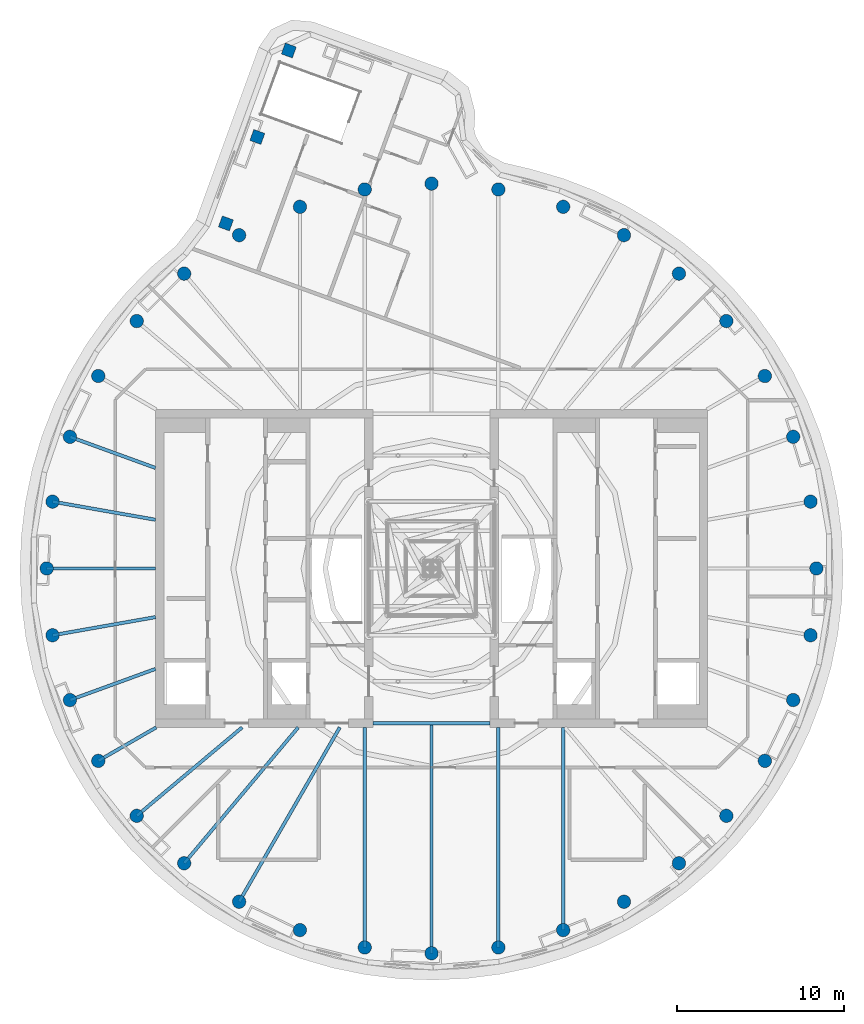
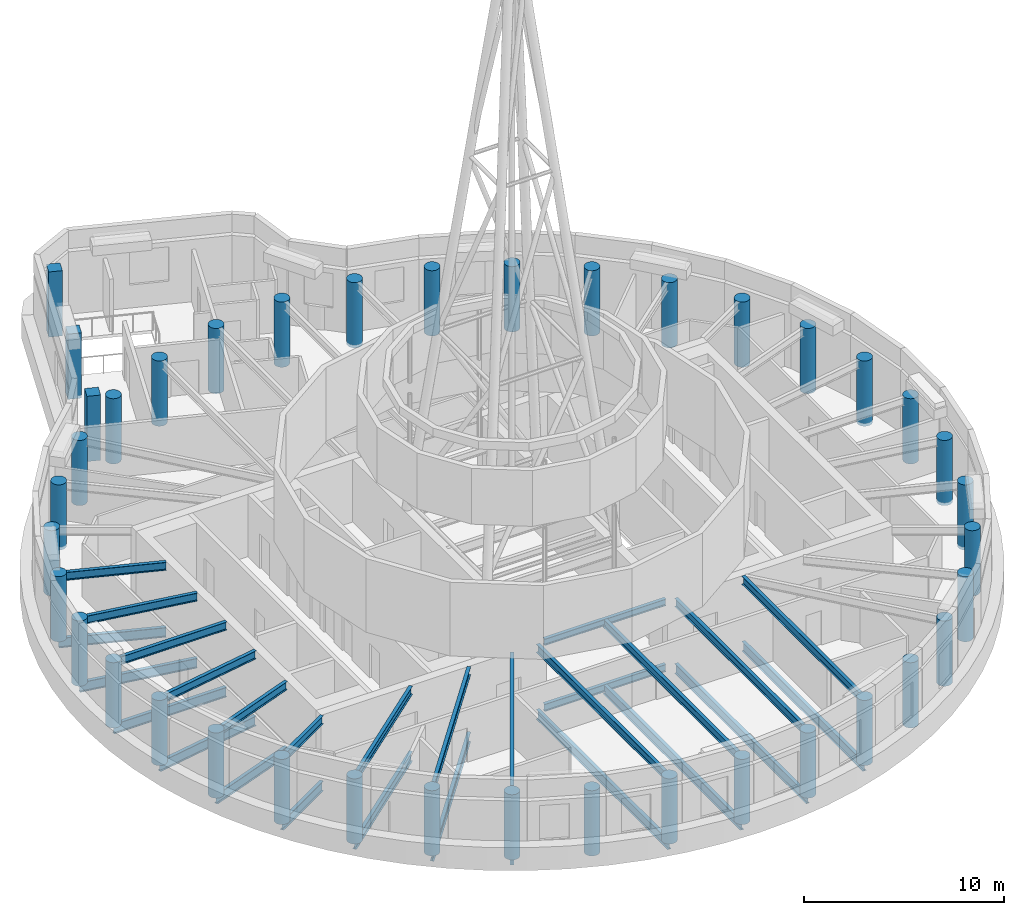
# One storey, part 1 of 17: 39 columns, 28 beams.
"""IFC4 building model written with IfcOpenShell, lengths in metres."""

from ifc_helpers import new_model, si_unit, direction, frame, origin, origin_2d, place, context, subcontext, project, spatial, rectangle, circle, i_section, extrude, material, material_profile, profile_set, type_object, element, save


model = new_model("IFC4")

# Units and contexts
model_context = context("Model", 3, precision=1e-05, world=origin(), true_north=direction((0.0, 1.0)))
body_context = subcontext(model_context, "Body", "Model", "MODEL_VIEW")
ifc_project = project(units=[si_unit("LENGTHUNIT", "METRE"), si_unit("AREAUNIT", "SQUARE_METRE"), si_unit("VOLUMEUNIT", "CUBIC_METRE"), si_unit("PLANEANGLEUNIT", "RADIAN"), si_unit("MASSUNIT", "GRAM", prefix="KILO")], contexts=[model_context])

# Site, building, storey
site_placement = place(None, origin())
site = spatial("IfcSite", under=ifc_project, at=site_placement, CompositionType="ELEMENT")
building_placement = place(site_placement, origin())
building = spatial("IfcBuilding", under=site, at=building_placement, Name="Tamarind Cross Interchange Tower", CompositionType="ELEMENT")
storey_placement = place(building_placement, frame((0.0, 0.0, 325.39990234375)))
storey = spatial("IfcBuildingStorey", under=building, at=storey_placement, Name="L80", CompositionType="ELEMENT", Elevation=325.39990234375)

# Columns
ifc_material_1 = material(Name="Concrete C45", Category="concrete")
ifc_material_profile_1 = material_profile(ifc_material_1, rectangle(XDim=0.699951171875, YDim=0.699951171875, at=origin_2d()), Name="RC 700x700")
ifc_profile_set_1 = profile_set([ifc_material_profile_1], Name="Concrete C45")
column_type_1 = type_object("IfcColumnType", Name="Column RC 700x700 Concrete C45", PredefinedType="COLUMN", material=ifc_profile_set_1)
for number, where, z_axis, x_axis, name in (
    (1, (-8.530029296875, 30.957275390625, -0.179931640625), (0.0, 0.0, 1.0), (0.341993902024, 0.939702171424, 0.0), "Column L80-047"),
    (2, (-10.4111328125, 25.7890625, -0.179931640625), (0.0, 0.0, 1.0), (0.341993902024, 0.939702171424, 0.0), "Column L80-048"),
    (3, (-12.2919921875, 20.62060546875, -0.179931640625), (0.0, 0.0, 1.0), (0.341993902024, 0.939702171424, 0.0), "Column L80-049"),
):
    element("IfcColumn", number, at=place(storey_placement, frame(where, z_axis=z_axis, x_axis=x_axis)), inside=storey, type_object=column_type_1, Name=name, PredefinedType="COLUMN", context=body_context, shape_type="SweptSolid", body=[
        extrude(rectangle(XDim=0.699951171875, YDim=0.699951171875, at=origin_2d()), origin(), (0.0, 0.0, 1.0), 3.97998046875),
    ])
ifc_material_profile_2 = material_profile(ifc_material_1, circle(Radius=0.39990234375, at=origin_2d()), Name="RC D800")
ifc_profile_set_2 = profile_set([ifc_material_profile_2], Name="Concrete C45")
column_type_2 = type_object("IfcColumnType", Name="Column RC D800 Concrete C45", PredefinedType="COLUMN", material=ifc_profile_set_2)
for number, where, z_axis, x_axis, name in (
    (4, (23.0, 0.0, -0.179931640625), (0.0, 0.0, 1.0), (1.0, 0.0, 0.0), "Column L80-000"),
    (5, (22.650634765625, 3.993896484375, -0.179931640625), (0.0, 0.0, 1.0), (1.0, 0.0, 0.0), "Column L80-001"),
    (6, (21.613037109375, 7.866455078125, -0.179931640625), (0.0, 0.0, 1.0), (1.0, 0.0, 0.0), "Column L80-002"),
    (7, (19.918701171875, 11.5, -0.179931640625), (0.0, 0.0, 1.0), (1.0, 0.0, 0.0), "Column L80-003"),
    (8, (17.619140625, 14.7841796875, -0.179931640625), (0.0, 0.0, 1.0), (1.0, 0.0, 0.0), "Column L80-004"),
    (9, (14.7841796875, 17.619140625, -0.179931640625), (0.0, 0.0, 1.0), (1.0, 0.0, 0.0), "Column L80-005"),
    (10, (11.5, 19.918701171875, -0.179931640625), (0.0, 0.0, 1.0), (1.0, 0.0, 0.0), "Column L80-006"),
    (11, (7.866455078125, 21.613037109375, -0.179931640625), (0.0, 0.0, 1.0), (1.0, 0.0, 0.0), "Column L80-007"),
    (12, (3.993896484375, 22.650634765625, -0.179931640625), (0.0, 0.0, 1.0), (1.0, 0.0, 0.0), "Column L80-008"),
    (13, (0.0, 23.0, -0.179931640625), (0.0, 0.0, 1.0), (1.0, 0.0, 0.0), "Column L80-009"),
    (14, (-3.993896484375, 22.650634765625, -0.179931640625), (0.0, 0.0, 1.0), (1.0, 0.0, 0.0), "Column L80-010"),
    (15, (-7.866455078125, 21.613037109375, -0.179931640625), (0.0, 0.0, 1.0), (1.0, 0.0, 0.0), "Column L80-011"),
    (16, (-11.5, 19.918701171875, -0.179931640625), (0.0, 0.0, 1.0), (1.0, 0.0, 0.0), "Column L80-012"),
    (17, (-14.7841796875, 17.619140625, -0.179931640625), (0.0, 0.0, 1.0), (1.0, 0.0, 0.0), "Column L80-013"),
    (18, (-17.619140625, 14.7841796875, -0.179931640625), (0.0, 0.0, 1.0), (1.0, 0.0, 0.0), "Column L80-014"),
    (19, (-19.918701171875, 11.5, -0.179931640625), (0.0, 0.0, 1.0), (1.0, 0.0, 0.0), "Column L80-015"),
    (20, (-21.613037109375, 7.866455078125, -0.179931640625), (0.0, 0.0, 1.0), (1.0, 0.0, 0.0), "Column L80-016"),
    (21, (-22.650634765625, 3.993896484375, -0.179931640625), (0.0, 0.0, 1.0), (1.0, 0.0, 0.0), "Column L80-017"),
    (22, (-23.0, 0.0, -0.179931640625), (0.0, 0.0, 1.0), (1.0, 0.0, 0.0), "Column L80-018"),
    (23, (-22.650634765625, -3.993896484375, -0.179931640625), (0.0, 0.0, 1.0), (1.0, 0.0, 0.0), "Column L80-019"),
    (24, (-21.613037109375, -7.866455078125, -0.179931640625), (0.0, 0.0, 1.0), (1.0, 0.0, 0.0), "Column L80-020"),
    (25, (-19.918701171875, -11.5, -0.179931640625), (0.0, 0.0, 1.0), (1.0, 0.0, 0.0), "Column L80-021"),
    (26, (-17.619140625, -14.7841796875, -0.179931640625), (0.0, 0.0, 1.0), (1.0, 0.0, 0.0), "Column L80-022"),
    (27, (-14.7841796875, -17.619140625, -0.179931640625), (0.0, 0.0, 1.0), (1.0, 0.0, 0.0), "Column L80-023"),
    (28, (-11.5, -19.918701171875, -0.179931640625), (0.0, 0.0, 1.0), (1.0, 0.0, 0.0), "Column L80-024"),
    (29, (-7.866455078125, -21.613037109375, -0.179931640625), (0.0, 0.0, 1.0), (1.0, 0.0, 0.0), "Column L80-025"),
    (30, (-3.993896484375, -22.650634765625, -0.179931640625), (0.0, 0.0, 1.0), (1.0, 0.0, 0.0), "Column L80-026"),
    (31, (0.0, -23.0, -0.179931640625), (0.0, 0.0, 1.0), (1.0, 0.0, 0.0), "Column L80-027"),
    (32, (3.993896484375, -22.650634765625, -0.179931640625), (0.0, 0.0, 1.0), (1.0, 0.0, 0.0), "Column L80-028"),
    (33, (7.866455078125, -21.613037109375, -0.179931640625), (0.0, 0.0, 1.0), (1.0, 0.0, 0.0), "Column L80-029"),
    (34, (11.5, -19.918701171875, -0.179931640625), (0.0, 0.0, 1.0), (1.0, 0.0, 0.0), "Column L80-030"),
    (35, (14.7841796875, -17.619140625, -0.179931640625), (0.0, 0.0, 1.0), (1.0, 0.0, 0.0), "Column L80-031"),
    (36, (17.619140625, -14.7841796875, -0.179931640625), (0.0, 0.0, 1.0), (1.0, 0.0, 0.0), "Column L80-032"),
    (37, (19.918701171875, -11.5, -0.179931640625), (0.0, 0.0, 1.0), (1.0, 0.0, 0.0), "Column L80-033"),
    (38, (21.613037109375, -7.866455078125, -0.179931640625), (0.0, 0.0, 1.0), (1.0, 0.0, 0.0), "Column L80-034"),
    (39, (22.650634765625, -3.993896484375, -0.179931640625), (0.0, 0.0, 1.0), (1.0, 0.0, 0.0), "Column L80-035"),
):
    element("IfcColumn", number, at=place(storey_placement, frame(where, z_axis=z_axis, x_axis=x_axis)), inside=storey, type_object=column_type_2, Name=name, PredefinedType="COLUMN", context=body_context, shape_type="SweptSolid", body=[
        extrude(circle(Radius=0.39990234375, at=origin_2d()), origin(), (0.0, 0.0, 1.0), 3.97998046875),
    ])

# Beams
ifc_material_2 = material(Name="Steel Q355B", Category="steel")
ifc_material_profile_3 = material_profile(ifc_material_2, i_section(OverallWidth=0.199951171875, OverallDepth=0.39990234375, WebThickness=0.008056640625, FlangeThickness=0.012939453125, FilletRadius=0.01611328125, at=origin_2d()), Name="HN 400x200x8x13")
ifc_profile_set_3 = profile_set([ifc_material_profile_3], Name="Steel Q355B")
beam_type_1 = type_object("IfcBeamType", Name="Composite beam HN 400x200x8x13 Q355B", PredefinedType="BEAM", material=ifc_profile_set_3)
beam_1_placement = place(storey_placement, frame((-3.5, -9.25, 3.60009765625), z_axis=(1.0, 0.0, 0.0), x_axis=(0.0, 1.0, 0.0)))
element("IfcBeam", 40, at=beam_1_placement, inside=storey, type_object=beam_type_1, Name="Beam G-9.25", PredefinedType="BEAM", context=body_context, shape_type="SweptSolid", body=[
    extrude(i_section(OverallWidth=0.199951171875, OverallDepth=0.39990234375, WebThickness=0.008056640625, FlangeThickness=0.012939453125, FilletRadius=0.01611328125, at=origin_2d()), origin(), (0.0, 0.0, 1.0), 7.0),
])
ifc_material_profile_4 = material_profile(ifc_material_2, i_section(OverallWidth=0.198974609375, OverallDepth=0.446044921875, WebThickness=0.008056640625, FlangeThickness=0.011962890625, FilletRadius=0.012939453125, at=origin_2d()), Name="HN 446x199x8x12")
ifc_profile_set_4 = profile_set([ifc_material_profile_4], Name="Steel Q355B")
beam_type_2 = type_object("IfcBeamType", Name="Composite beam HN 446x199x8x12 Q355B", PredefinedType="BEAM", material=ifc_profile_set_4)
beam_2_placement = place(storey_placement, frame((-3.5, -9.25, -0.40283203125), z_axis=(1.0, 0.0, 0.0), x_axis=(0.0, 1.0, 0.0)))
element("IfcBeam", 41, at=beam_2_placement, inside=storey, type_object=beam_type_2, Name="Beam G-9.25", PredefinedType="BEAM", context=body_context, shape_type="SweptSolid", body=[
    extrude(i_section(OverallWidth=0.198974609375, OverallDepth=0.446044921875, WebThickness=0.008056640625, FlangeThickness=0.011962890625, FilletRadius=0.012939453125, at=origin_2d()), origin(), (0.0, 0.0, 1.0), 7.0),
])
ifc_material_profile_5 = material_profile(ifc_material_2, i_section(OverallWidth=0.198974609375, OverallDepth=0.49609375, WebThickness=0.009033203125, FlangeThickness=0.013916015625, FilletRadius=0.012939453125, at=origin_2d()), Name="HN 496x199x9x14")
ifc_profile_set_5 = profile_set([ifc_material_profile_5], Name="Steel Q355B")
beam_type_3 = type_object("IfcBeamType", Name="Composite beam HN 496x199x9x14 Q355B", PredefinedType="BEAM", material=ifc_profile_set_5)
beam_3_placement = place(storey_placement, frame((-21.613037109375, 7.866455078125, 3.552001953125), z_axis=(0.939701685589, -0.341995236956, 0.0), x_axis=(0.341995236956, 0.939701685589, 0.0)))
element("IfcBeam", 42, at=beam_3_placement, inside=storey, type_object=beam_type_3, Name="Beam HH16", PredefinedType="BEAM", context=body_context, shape_type="SweptSolid", body=[
    extrude(i_section(OverallWidth=0.198974609375, OverallDepth=0.49609375, WebThickness=0.009033203125, FlangeThickness=0.013916015625, FilletRadius=0.012939453125, at=origin_2d()), origin(), (0.0, 0.0, 1.0), 5.441162109375),
])
beam_4_placement = place(storey_placement, frame((-22.650634765625, 3.993896484375, 3.552001953125), z_axis=(0.984809127561, -0.173640382036, 0.0), x_axis=(0.173640382036, 0.984809127561, 0.0)))
element("IfcBeam", 43, at=beam_4_placement, inside=storey, type_object=beam_type_3, Name="Beam HH17", PredefinedType="BEAM", context=body_context, shape_type="SweptSolid", body=[
    extrude(i_section(OverallWidth=0.198974609375, OverallDepth=0.49609375, WebThickness=0.009033203125, FlangeThickness=0.013916015625, FilletRadius=0.012939453125, at=origin_2d()), origin(), (0.0, 0.0, 1.0), 6.24560546875),
])
beam_5_placement = place(storey_placement, frame((-23.0, 0.0, 3.552001953125), z_axis=(1.0, 0.0, 0.0), x_axis=(0.0, 1.0, 0.0)))
element("IfcBeam", 44, at=beam_5_placement, inside=storey, type_object=beam_type_3, Name="Beam HH18", PredefinedType="BEAM", context=body_context, shape_type="SweptSolid", body=[
    extrude(i_section(OverallWidth=0.198974609375, OverallDepth=0.49609375, WebThickness=0.009033203125, FlangeThickness=0.013916015625, FilletRadius=0.012939453125, at=origin_2d()), origin(), (0.0, 0.0, 1.0), 6.5),
])
beam_6_placement = place(storey_placement, frame((-22.650634765625, -3.993896484375, 3.552001953125), z_axis=(0.984809127561, 0.173640382036, 0.0), x_axis=(-0.173640382036, 0.984809127561, 0.0)))
element("IfcBeam", 45, at=beam_6_placement, inside=storey, type_object=beam_type_3, Name="Beam HH19", PredefinedType="BEAM", context=body_context, shape_type="SweptSolid", body=[
    extrude(i_section(OverallWidth=0.198974609375, OverallDepth=0.49609375, WebThickness=0.009033203125, FlangeThickness=0.013916015625, FilletRadius=0.012939453125, at=origin_2d()), origin(), (0.0, 0.0, 1.0), 6.24560546875),
])
beam_7_placement = place(storey_placement, frame((-21.613037109375, -7.866455078125, 3.552001953125), z_axis=(0.939701685589, 0.341995236956, 0.0), x_axis=(-0.341995236956, 0.939701685589, 0.0)))
element("IfcBeam", 46, at=beam_7_placement, inside=storey, type_object=beam_type_3, Name="Beam HH20", PredefinedType="BEAM", context=body_context, shape_type="SweptSolid", body=[
    extrude(i_section(OverallWidth=0.198974609375, OverallDepth=0.49609375, WebThickness=0.009033203125, FlangeThickness=0.013916015625, FilletRadius=0.012939453125, at=origin_2d()), origin(), (0.0, 0.0, 1.0), 5.441162109375),
])
beam_8_placement = place(storey_placement, frame((-19.918701171875, -11.5, 3.552001953125), z_axis=(0.866026010844, 0.49999894854, 0.0), x_axis=(-0.49999894854, 0.866026010844, 0.0)))
element("IfcBeam", 47, at=beam_8_placement, inside=storey, type_object=beam_type_3, Name="Beam HH21", PredefinedType="BEAM", context=body_context, shape_type="SweptSolid", body=[
    extrude(i_section(OverallWidth=0.198974609375, OverallDepth=0.49609375, WebThickness=0.009033203125, FlangeThickness=0.013916015625, FilletRadius=0.012939453125, at=origin_2d()), origin(), (0.0, 0.0, 1.0), 4.0),
])
beam_9_placement = place(storey_placement, frame((-17.619140625, -14.7841796875, 3.552001953125), z_axis=(0.766040580814, 0.642792212574, 0.0), x_axis=(-0.642792212574, 0.766040580814, 0.0)))
element("IfcBeam", 48, at=beam_9_placement, inside=storey, type_object=beam_type_3, Name="Beam HH22", PredefinedType="BEAM", context=body_context, shape_type="SweptSolid", body=[
    extrude(i_section(OverallWidth=0.198974609375, OverallDepth=0.49609375, WebThickness=0.009033203125, FlangeThickness=0.013916015625, FilletRadius=0.012939453125, at=origin_2d()), origin(), (0.0, 0.0, 1.0), 8.220703125),
])
beam_10_placement = place(storey_placement, frame((-14.7841796875, -17.619140625, 3.552001953125), z_axis=(0.642786293979, 0.766045547127, 0.0), x_axis=(-0.766045547127, 0.642786293979, 0.0)))
element("IfcBeam", 49, at=beam_10_placement, inside=storey, type_object=beam_type_3, Name="Beam HH23", PredefinedType="BEAM", context=body_context, shape_type="SweptSolid", body=[
    extrude(i_section(OverallWidth=0.198974609375, OverallDepth=0.49609375, WebThickness=0.009033203125, FlangeThickness=0.013916015625, FilletRadius=0.012939453125, at=origin_2d()), origin(), (0.0, 0.0, 1.0), 10.598876953125),
])
beam_11_placement = place(storey_placement, frame((-11.5, -19.918701171875, 3.552001953125), z_axis=(0.499993565836, 0.866029118519, 0.0), x_axis=(-0.866029118519, 0.499993565836, 0.0)))
element("IfcBeam", 50, at=beam_11_placement, inside=storey, type_object=beam_type_3, Name="Beam HH24", PredefinedType="BEAM", context=body_context, shape_type="SweptSolid", body=[
    extrude(i_section(OverallWidth=0.198974609375, OverallDepth=0.49609375, WebThickness=0.009033203125, FlangeThickness=0.013916015625, FilletRadius=0.012939453125, at=origin_2d()), origin(), (0.0, 0.0, 1.0), 12.030517578125),
])
beam_12_placement = place(storey_placement, frame((-3.993896484375, -22.650634765625, 3.552001953125), z_axis=(0.0, 1.0, 0.0), x_axis=(-1.0, 0.0, 0.0)))
element("IfcBeam", 51, at=beam_12_placement, inside=storey, type_object=beam_type_3, Name="Beam HH26", PredefinedType="BEAM", context=body_context, shape_type="SweptSolid", body=[
    extrude(i_section(OverallWidth=0.198974609375, OverallDepth=0.49609375, WebThickness=0.009033203125, FlangeThickness=0.013916015625, FilletRadius=0.012939453125, at=origin_2d()), origin(), (0.0, 0.0, 1.0), 13.150634765625),
])
beam_13_placement = place(storey_placement, frame((0.0, -23.0, 3.552001953125), z_axis=(0.0, 1.0, 0.0), x_axis=(-1.0, 0.0, 0.0)))
element("IfcBeam", 52, at=beam_13_placement, inside=storey, type_object=beam_type_3, Name="Beam HH27", PredefinedType="BEAM", context=body_context, shape_type="SweptSolid", body=[
    extrude(i_section(OverallWidth=0.198974609375, OverallDepth=0.49609375, WebThickness=0.009033203125, FlangeThickness=0.013916015625, FilletRadius=0.012939453125, at=origin_2d()), origin(), (0.0, 0.0, 1.0), 13.75),
])
beam_14_placement = place(storey_placement, frame((3.993896484375, -22.650634765625, 3.552001953125), z_axis=(0.0, 1.0, 0.0), x_axis=(-1.0, 0.0, 0.0)))
element("IfcBeam", 53, at=beam_14_placement, inside=storey, type_object=beam_type_3, Name="Beam HH28", PredefinedType="BEAM", context=body_context, shape_type="SweptSolid", body=[
    extrude(i_section(OverallWidth=0.198974609375, OverallDepth=0.49609375, WebThickness=0.009033203125, FlangeThickness=0.013916015625, FilletRadius=0.012939453125, at=origin_2d()), origin(), (0.0, 0.0, 1.0), 13.150634765625),
])
beam_15_placement = place(storey_placement, frame((7.866455078125, -21.613037109375, 3.552001953125), z_axis=(0.0, 1.0, 0.0), x_axis=(-1.0, 0.0, 0.0)))
element("IfcBeam", 54, at=beam_15_placement, inside=storey, type_object=beam_type_3, Name="Beam HH29", PredefinedType="BEAM", context=body_context, shape_type="SweptSolid", body=[
    extrude(i_section(OverallWidth=0.198974609375, OverallDepth=0.49609375, WebThickness=0.009033203125, FlangeThickness=0.013916015625, FilletRadius=0.012939453125, at=origin_2d()), origin(), (0.0, 0.0, 1.0), 12.113037109375),
])
ifc_material_profile_6 = material_profile(ifc_material_2, i_section(OverallWidth=0.198974609375, OverallDepth=0.595947265625, WebThickness=0.010009765625, FlangeThickness=0.014892578125, FilletRadius=0.012939453125, at=origin_2d()), Name="HN 596x199x10x15")
ifc_profile_set_6 = profile_set([ifc_material_profile_6], Name="Steel Q355B")
beam_type_4 = type_object("IfcBeamType", Name="Composite beam HN 596x199x10x15 Q355B", PredefinedType="BEAM", material=ifc_profile_set_6)
beam_16_placement = place(storey_placement, frame((-21.613037109375, 7.866455078125, -0.477783203125), z_axis=(0.939701685589, -0.341995236956, 0.0), x_axis=(0.341995236956, 0.939701685589, 0.0)))
element("IfcBeam", 55, at=beam_16_placement, inside=storey, type_object=beam_type_4, Name="Beam HH16", PredefinedType="BEAM", context=body_context, shape_type="SweptSolid", body=[
    extrude(i_section(OverallWidth=0.198974609375, OverallDepth=0.595947265625, WebThickness=0.010009765625, FlangeThickness=0.014892578125, FilletRadius=0.012939453125, at=origin_2d()), origin(), (0.0, 0.0, 1.0), 5.441162109375),
])
beam_17_placement = place(storey_placement, frame((-22.650634765625, 3.993896484375, -0.477783203125), z_axis=(0.984809127561, -0.173640382036, 0.0), x_axis=(0.173640382036, 0.984809127561, 0.0)))
element("IfcBeam", 56, at=beam_17_placement, inside=storey, type_object=beam_type_4, Name="Beam HH17", PredefinedType="BEAM", context=body_context, shape_type="SweptSolid", body=[
    extrude(i_section(OverallWidth=0.198974609375, OverallDepth=0.595947265625, WebThickness=0.010009765625, FlangeThickness=0.014892578125, FilletRadius=0.012939453125, at=origin_2d()), origin(), (0.0, 0.0, 1.0), 6.24560546875),
])
beam_18_placement = place(storey_placement, frame((-23.0, 0.0, -0.477783203125), z_axis=(1.0, 0.0, 0.0), x_axis=(0.0, 1.0, 0.0)))
element("IfcBeam", 57, at=beam_18_placement, inside=storey, type_object=beam_type_4, Name="Beam HH18", PredefinedType="BEAM", context=body_context, shape_type="SweptSolid", body=[
    extrude(i_section(OverallWidth=0.198974609375, OverallDepth=0.595947265625, WebThickness=0.010009765625, FlangeThickness=0.014892578125, FilletRadius=0.012939453125, at=origin_2d()), origin(), (0.0, 0.0, 1.0), 6.5),
])
beam_19_placement = place(storey_placement, frame((-22.650634765625, -3.993896484375, -0.477783203125), z_axis=(0.984809127561, 0.173640382036, 0.0), x_axis=(-0.173640382036, 0.984809127561, 0.0)))
element("IfcBeam", 58, at=beam_19_placement, inside=storey, type_object=beam_type_4, Name="Beam HH19", PredefinedType="BEAM", context=body_context, shape_type="SweptSolid", body=[
    extrude(i_section(OverallWidth=0.198974609375, OverallDepth=0.595947265625, WebThickness=0.010009765625, FlangeThickness=0.014892578125, FilletRadius=0.012939453125, at=origin_2d()), origin(), (0.0, 0.0, 1.0), 6.24560546875),
])
beam_20_placement = place(storey_placement, frame((-21.613037109375, -7.866455078125, -0.477783203125), z_axis=(0.939701685589, 0.341995236956, 0.0), x_axis=(-0.341995236956, 0.939701685589, 0.0)))
element("IfcBeam", 59, at=beam_20_placement, inside=storey, type_object=beam_type_4, Name="Beam HH20", PredefinedType="BEAM", context=body_context, shape_type="SweptSolid", body=[
    extrude(i_section(OverallWidth=0.198974609375, OverallDepth=0.595947265625, WebThickness=0.010009765625, FlangeThickness=0.014892578125, FilletRadius=0.012939453125, at=origin_2d()), origin(), (0.0, 0.0, 1.0), 5.441162109375),
])
beam_21_placement = place(storey_placement, frame((-19.918701171875, -11.5, -0.477783203125), z_axis=(0.866026010844, 0.49999894854, 0.0), x_axis=(-0.49999894854, 0.866026010844, 0.0)))
element("IfcBeam", 60, at=beam_21_placement, inside=storey, type_object=beam_type_4, Name="Beam HH21", PredefinedType="BEAM", context=body_context, shape_type="SweptSolid", body=[
    extrude(i_section(OverallWidth=0.198974609375, OverallDepth=0.595947265625, WebThickness=0.010009765625, FlangeThickness=0.014892578125, FilletRadius=0.012939453125, at=origin_2d()), origin(), (0.0, 0.0, 1.0), 4.0),
])
beam_22_placement = place(storey_placement, frame((-17.619140625, -14.7841796875, -0.477783203125), z_axis=(0.766040580814, 0.642792212574, 0.0), x_axis=(-0.642792212574, 0.766040580814, 0.0)))
element("IfcBeam", 61, at=beam_22_placement, inside=storey, type_object=beam_type_4, Name="Beam HH22", PredefinedType="BEAM", context=body_context, shape_type="SweptSolid", body=[
    extrude(i_section(OverallWidth=0.198974609375, OverallDepth=0.595947265625, WebThickness=0.010009765625, FlangeThickness=0.014892578125, FilletRadius=0.012939453125, at=origin_2d()), origin(), (0.0, 0.0, 1.0), 8.220703125),
])
beam_23_placement = place(storey_placement, frame((-14.7841796875, -17.619140625, -0.477783203125), z_axis=(0.642786293979, 0.766045547127, 0.0), x_axis=(-0.766045547127, 0.642786293979, 0.0)))
element("IfcBeam", 62, at=beam_23_placement, inside=storey, type_object=beam_type_4, Name="Beam HH23", PredefinedType="BEAM", context=body_context, shape_type="SweptSolid", body=[
    extrude(i_section(OverallWidth=0.198974609375, OverallDepth=0.595947265625, WebThickness=0.010009765625, FlangeThickness=0.014892578125, FilletRadius=0.012939453125, at=origin_2d()), origin(), (0.0, 0.0, 1.0), 10.598876953125),
])
beam_24_placement = place(storey_placement, frame((-11.5, -19.918701171875, -0.477783203125), z_axis=(0.499993565836, 0.866029118519, 0.0), x_axis=(-0.866029118519, 0.499993565836, 0.0)))
element("IfcBeam", 63, at=beam_24_placement, inside=storey, type_object=beam_type_4, Name="Beam HH24", PredefinedType="BEAM", context=body_context, shape_type="SweptSolid", body=[
    extrude(i_section(OverallWidth=0.198974609375, OverallDepth=0.595947265625, WebThickness=0.010009765625, FlangeThickness=0.014892578125, FilletRadius=0.012939453125, at=origin_2d()), origin(), (0.0, 0.0, 1.0), 12.030517578125),
])
beam_25_placement = place(storey_placement, frame((-3.993896484375, -22.650634765625, -0.477783203125), z_axis=(0.0, 1.0, 0.0), x_axis=(-1.0, 0.0, 0.0)))
element("IfcBeam", 64, at=beam_25_placement, inside=storey, type_object=beam_type_4, Name="Beam HH26", PredefinedType="BEAM", context=body_context, shape_type="SweptSolid", body=[
    extrude(i_section(OverallWidth=0.198974609375, OverallDepth=0.595947265625, WebThickness=0.010009765625, FlangeThickness=0.014892578125, FilletRadius=0.012939453125, at=origin_2d()), origin(), (0.0, 0.0, 1.0), 13.150634765625),
])
beam_26_placement = place(storey_placement, frame((0.0, -23.0, -0.477783203125), z_axis=(0.0, 1.0, 0.0), x_axis=(-1.0, 0.0, 0.0)))
element("IfcBeam", 65, at=beam_26_placement, inside=storey, type_object=beam_type_4, Name="Beam HH27", PredefinedType="BEAM", context=body_context, shape_type="SweptSolid", body=[
    extrude(i_section(OverallWidth=0.198974609375, OverallDepth=0.595947265625, WebThickness=0.010009765625, FlangeThickness=0.014892578125, FilletRadius=0.012939453125, at=origin_2d()), origin(), (0.0, 0.0, 1.0), 13.75),
])
beam_27_placement = place(storey_placement, frame((3.993896484375, -22.650634765625, -0.477783203125), z_axis=(0.0, 1.0, 0.0), x_axis=(-1.0, 0.0, 0.0)))
element("IfcBeam", 66, at=beam_27_placement, inside=storey, type_object=beam_type_4, Name="Beam HH28", PredefinedType="BEAM", context=body_context, shape_type="SweptSolid", body=[
    extrude(i_section(OverallWidth=0.198974609375, OverallDepth=0.595947265625, WebThickness=0.010009765625, FlangeThickness=0.014892578125, FilletRadius=0.012939453125, at=origin_2d()), origin(), (0.0, 0.0, 1.0), 13.150634765625),
])
beam_28_placement = place(storey_placement, frame((7.866455078125, -21.613037109375, -0.477783203125), z_axis=(0.0, 1.0, 0.0), x_axis=(-1.0, 0.0, 0.0)))
element("IfcBeam", 67, at=beam_28_placement, inside=storey, type_object=beam_type_4, Name="Beam HH29", PredefinedType="BEAM", context=body_context, shape_type="SweptSolid", body=[
    extrude(i_section(OverallWidth=0.198974609375, OverallDepth=0.595947265625, WebThickness=0.010009765625, FlangeThickness=0.014892578125, FilletRadius=0.012939453125, at=origin_2d()), origin(), (0.0, 0.0, 1.0), 12.113037109375),
])

save(model, "model.ifc")
